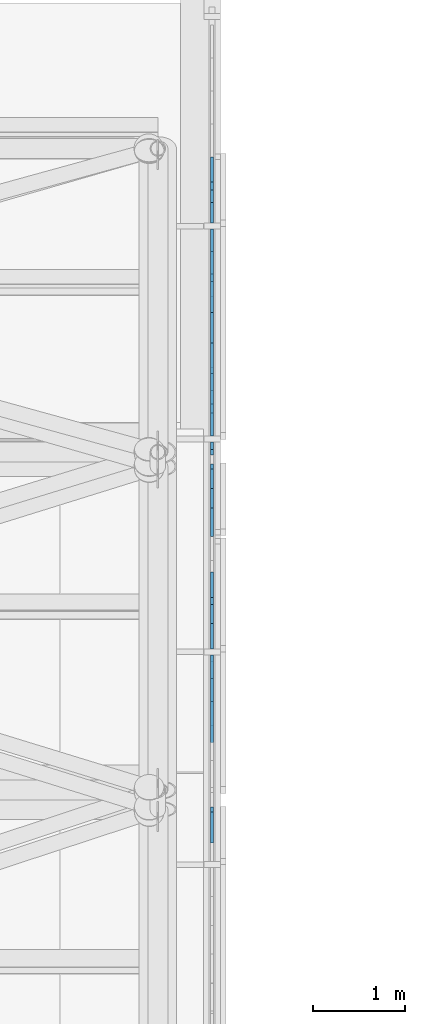
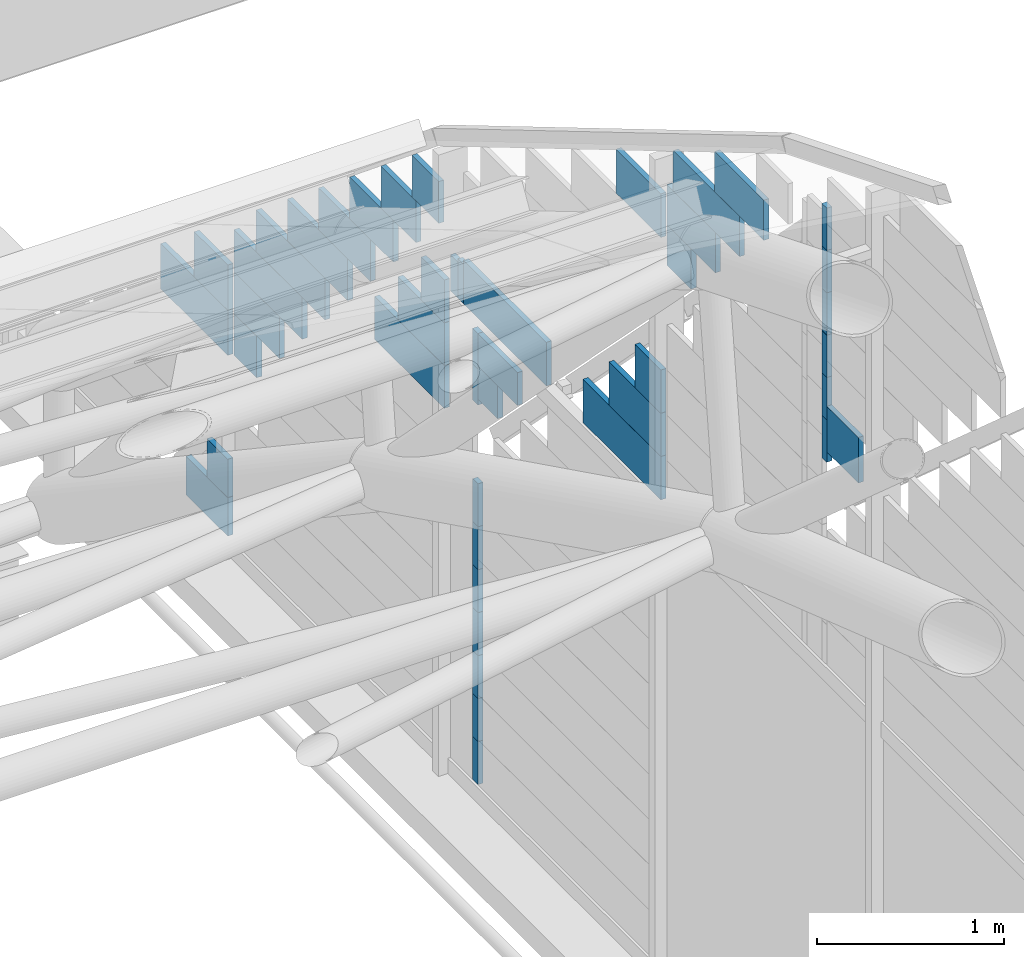
# One storey, part 80 of 110: 45 plates, 1 element without a shape of its own.
"""IFC4 building model written with IfcOpenShell, lengths in metres."""

from ifc_helpers import new_model, si_unit, direction, frame, origin, place, context, subcontext, project, spatial, polyline, outline, extrude, material, layer, layer_set, type_object, element, aggregate, save


model = new_model("IFC4")

# Units and contexts
model_context = context("Model", 3, precision=1e-05, world=origin(), true_north=direction((0.0, 1.0)))
body_context = subcontext(model_context, "Body", "Model", "MODEL_VIEW")
ifc_project = project(units=[si_unit("LENGTHUNIT", "METRE"), si_unit("AREAUNIT", "SQUARE_METRE"), si_unit("VOLUMEUNIT", "CUBIC_METRE"), si_unit("PLANEANGLEUNIT", "RADIAN"), si_unit("MASSUNIT", "GRAM", prefix="KILO")], contexts=[model_context])

# Site, building, storey
site_placement = place(None, origin())
site = spatial("IfcSite", under=ifc_project, at=site_placement, CompositionType="ELEMENT")
building_placement = place(site_placement, origin())
building = spatial("IfcBuilding", under=site, at=building_placement, Name="Windward Yard Aquatics Centre", CompositionType="ELEMENT")
storey_placement = place(building_placement, frame((0.0, 0.0, 22.60009765625)))
storey = spatial("IfcBuildingStorey", under=building, at=storey_placement, Name="L05", CompositionType="ELEMENT", Elevation=22.60009765625)

# Curtain wall, plates
ifc_material_1 = material(Name="Glass and aluminium curtain wall", Category="aluminium")
ifc_layer_1 = layer(ifc_material_1, 0.179931640625)
ifc_layer_set_1 = layer_set([ifc_layer_1], Name="H gable glazing system double glazed 8+16+8")
curtain_wall_type = type_object("IfcCurtainWallType", Name="H gable glazing system double glazed 8+16+8", PredefinedType="NOTDEFINED", material=ifc_layer_set_1)
curtain_wall_placement = place(storey_placement, origin())
curtain_wall = element("IfcCurtainWall", 1, at=curtain_wall_placement, inside=storey, type_object=curtain_wall_type, Name="Gable glazing E", PredefinedType="NOTDEFINED")
ifc_material_2 = material(Name="Low-iron glass", Category="glass")
ifc_layer_2 = layer(ifc_material_2, 0.008, Name="Outer pane")
ifc_material_3 = material(Name="Argon-filled cavity")
ifc_layer_3 = layer(ifc_material_3, 0.016, Name="Cavity")
ifc_layer_4 = layer(ifc_material_2, 0.008, Name="Inner pane")
ifc_layer_set_2 = layer_set([ifc_layer_2, ifc_layer_3, ifc_layer_4], Name="H gable glass low-e double glazed unit 32")
plate_type = type_object("IfcPlateType", Name="H gable glass low-e double glazed unit 32", PredefinedType="CURTAIN_PANEL", material=ifc_layer_set_2)
plate_1_placement = place(storey_placement, frame((144.60595703125, 74.62353515625, 4.724609375), z_axis=(1.0, 0.0, 0.0), x_axis=(0.0, 1.0, 0.0)))
plate_1 = element("IfcPlate", 2, at=plate_1_placement, type_object=plate_type, Name="Gable panel 15.2s", PredefinedType="CURTAIN_PANEL", context=body_context, shape_type="SweptSolid", body=[
    extrude(outline(polyline([(0.0, 0.0), (0.259277, 0.0), (0.259277, 0.262939), (0.0, 0.262939), (0.0, 0.0)])), origin(), (0.0, 0.0, -1.0), 0.031982421875),
])
plate_2_placement = place(storey_placement, frame((144.60595703125, 74.3642578125, 4.98779296875), z_axis=(1.0, 0.0, 0.0), x_axis=(0.0, 1.0, 0.0)))
plate_2 = element("IfcPlate", 3, at=plate_2_placement, type_object=plate_type, Name="Gable panel 15.2t", PredefinedType="CURTAIN_PANEL", context=body_context, shape_type="SweptSolid", body=[
    extrude(outline(polyline([(0.0, 0.0), (0.518555, 0.0), (0.518555, 0.262939), (0.0, 0.262939), (0.0, 0.0)])), origin(), (0.0, 0.0, -1.0), 0.031982421875),
])
plate_3_placement = place(storey_placement, frame((144.60595703125, 74.105224609375, 5.251220703125), z_axis=(1.0, 0.0, 0.0), x_axis=(0.0, 1.0, 0.0)))
plate_3 = element("IfcPlate", 4, at=plate_3_placement, type_object=plate_type, Name="Gable panel 15.2u", PredefinedType="CURTAIN_PANEL", context=body_context, shape_type="SweptSolid", body=[
    extrude(outline(polyline([(0.0, 0.0), (0.71167, 0.0), (0.71167, 0.262695), (0.0, 0.262695), (0.0, 0.0)])), origin(), (0.0, 0.0, -1.0), 0.031982421875),
])
plate_4_placement = place(storey_placement, frame((144.60595703125, 73.845947265625, 5.514404296875), z_axis=(1.0, 0.0, 0.0), x_axis=(0.0, 1.0, 0.0)))
plate_4 = element("IfcPlate", 5, at=plate_4_placement, type_object=plate_type, Name="Gable panel 15.2v", PredefinedType="CURTAIN_PANEL", context=body_context, shape_type="SweptSolid", body=[
    extrude(outline(polyline([(0.0, 0.0), (0.526855, 0.0), (0.526855, 0.262695), (0.0, 0.262695), (0.0, 0.0)])), origin(), (0.0, 0.0, -1.0), 0.031982421875),
])
plate_5_placement = place(storey_placement, frame((144.60595703125, 73.170654296875, 4.4736328125), z_axis=(1.0, 0.0, 0.0), x_axis=(0.0, 1.0, 0.0)))
plate_5 = element("IfcPlate", 6, at=plate_5_placement, type_object=plate_type, Name="Gable panel 15.2ak", PredefinedType="CURTAIN_PANEL", context=body_context, shape_type="SweptSolid", body=[
    extrude(outline(polyline([(0.0, 0.0), (0.052979, 0.0), (0.052979, 0.276367), (0.0, 0.276367), (0.0, 0.0)])), origin(), (0.0, 0.0, -1.0), 0.031982421875),
])
plate_6_placement = place(storey_placement, frame((144.60595703125, 73.170654296875, 4.75048828125), z_axis=(1.0, 0.0, 0.0), x_axis=(0.0, 1.0, 0.0)))
plate_6 = element("IfcPlate", 7, at=plate_6_placement, type_object=plate_type, Name="Gable panel 15.2al", PredefinedType="CURTAIN_PANEL", context=body_context, shape_type="SweptSolid", body=[
    extrude(outline(polyline([(0.0, 0.0), (0.052979, 0.0), (0.052979, 0.276367), (0.0, 0.276367), (0.0, 0.0)])), origin(), (0.0, 0.0, -1.0), 0.031982421875),
])
plate_7_placement = place(storey_placement, frame((144.60595703125, 73.170654296875, 5.02734375), z_axis=(1.0, 0.0, 0.0), x_axis=(0.0, 1.0, 0.0)))
plate_7 = element("IfcPlate", 8, at=plate_7_placement, type_object=plate_type, Name="Gable panel 15.2am", PredefinedType="CURTAIN_PANEL", context=body_context, shape_type="SweptSolid", body=[
    extrude(outline(polyline([(0.0, 0.0), (0.052979, 0.0), (0.052979, 0.276367), (0.0, 0.276367), (0.0, 0.0)])), origin(), (0.0, 0.0, -1.0), 0.031982421875),
])
plate_8_placement = place(storey_placement, frame((144.60595703125, 73.170654296875, 5.30419921875), z_axis=(1.0, 0.0, 0.0), x_axis=(0.0, 1.0, 0.0)))
plate_8 = element("IfcPlate", 9, at=plate_8_placement, type_object=plate_type, Name="Gable panel 15.2an", PredefinedType="CURTAIN_PANEL", context=body_context, shape_type="SweptSolid", body=[
    extrude(outline(polyline([(0.0, 0.0), (0.052979, 0.0), (0.052979, 0.276367), (0.0, 0.276367), (0.0, 0.0)])), origin(), (0.0, 0.0, -1.0), 0.031982421875),
])
plate_9_placement = place(storey_placement, frame((144.60595703125, 73.170654296875, 5.5810546875), z_axis=(1.0, 0.0, 0.0), x_axis=(0.0, 1.0, 0.0)))
plate_9 = element("IfcPlate", 10, at=plate_9_placement, type_object=plate_type, Name="Gable panel 15.2ao", PredefinedType="CURTAIN_PANEL", context=body_context, shape_type="SweptSolid", body=[
    extrude(outline(polyline([(0.0, 0.0), (0.052979, 0.0), (0.052979, 0.276367), (0.0, 0.276367), (0.0, 0.0)])), origin(), (0.0, 0.0, -1.0), 0.031982421875),
])
plate_10_placement = place(storey_placement, frame((144.60595703125, 73.170654296875, 5.85791015625), z_axis=(1.0, 0.0, 0.0), x_axis=(0.0, 1.0, 0.0)))
plate_10 = element("IfcPlate", 11, at=plate_10_placement, type_object=plate_type, Name="Gable panel 15.2ap", PredefinedType="CURTAIN_PANEL", context=body_context, shape_type="SweptSolid", body=[
    extrude(outline(polyline([(0.0, 0.0), (0.052979, 0.0), (0.052979, 0.276367), (0.0, 0.276367), (0.0, 0.0)])), origin(), (0.0, 0.0, -1.0), 0.031982421875),
])
plate_11_placement = place(storey_placement, frame((144.60595703125, 72.833740234375, 4.5419921875), z_axis=(1.0, 0.0, 0.0), x_axis=(0.0, 1.0, 0.0)))
plate_11 = element("IfcPlate", 12, at=plate_11_placement, type_object=plate_type, Name="Gable panel 15.2au", PredefinedType="CURTAIN_PANEL", context=body_context, shape_type="SweptSolid", body=[
    extrude(outline(polyline([(0.0, 0.0), (0.336914, 0.0), (0.336914, 0.297607), (0.0, 0.297607), (0.0, 0.0)])), origin(), (0.0, 0.0, -1.0), 0.031982421875),
])
plate_12_placement = place(storey_placement, frame((144.60595703125, 76.906982421875, 0.099853515625), z_axis=(1.0, 0.0, 0.0), x_axis=(0.0, 1.0, 0.0)))
plate_12 = element("IfcPlate", 13, at=plate_12_placement, type_object=plate_type, Name="Gable panel 16.1b", PredefinedType="CURTAIN_PANEL", context=body_context, shape_type="SweptSolid", body=[
    extrude(outline(polyline([(0.0, 0.0), (0.056885, 0.0), (0.056885, 0.280762), (0.0, 0.280762), (0.0, 0.0)])), origin(), (0.0, 0.0, -1.0), 0.031982421875),
])
plate_13_placement = place(storey_placement, frame((144.60595703125, 76.906982421875, 0.381103515625), z_axis=(1.0, 0.0, 0.0), x_axis=(0.0, 1.0, 0.0)))
plate_13 = element("IfcPlate", 14, at=plate_13_placement, type_object=plate_type, Name="Gable panel 16.1c", PredefinedType="CURTAIN_PANEL", context=body_context, shape_type="SweptSolid", body=[
    extrude(outline(polyline([(0.0, 0.0), (0.056885, 0.0), (0.056885, 0.280518), (0.0, 0.280518), (0.0, 0.0)])), origin(), (0.0, 0.0, -1.0), 0.031982421875),
])
plate_14_placement = place(storey_placement, frame((144.60595703125, 76.906982421875, 0.662109375), z_axis=(1.0, 0.0, 0.0), x_axis=(0.0, 1.0, 0.0)))
plate_14 = element("IfcPlate", 15, at=plate_14_placement, type_object=plate_type, Name="Gable panel 16.1d", PredefinedType="CURTAIN_PANEL", context=body_context, shape_type="SweptSolid", body=[
    extrude(outline(polyline([(0.0, 0.0), (0.056885, 0.0), (0.056885, 0.280518), (0.0, 0.280518), (0.0, 0.0)])), origin(), (0.0, 0.0, -1.0), 0.031982421875),
])
plate_15_placement = place(storey_placement, frame((144.60595703125, 76.906982421875, 0.943115234375), z_axis=(1.0, 0.0, 0.0), x_axis=(0.0, 1.0, 0.0)))
plate_15 = element("IfcPlate", 16, at=plate_15_placement, type_object=plate_type, Name="Gable panel 16.1e", PredefinedType="CURTAIN_PANEL", context=body_context, shape_type="SweptSolid", body=[
    extrude(outline(polyline([(0.0, 0.0), (0.056885, 0.0), (0.056885, 0.280518), (0.0, 0.280518), (0.0, 0.0)])), origin(), (0.0, 0.0, -1.0), 0.031982421875),
])
plate_16_placement = place(storey_placement, frame((144.60595703125, 76.906982421875, 1.22412109375), z_axis=(1.0, 0.0, 0.0), x_axis=(0.0, 1.0, 0.0)))
plate_16 = element("IfcPlate", 17, at=plate_16_placement, type_object=plate_type, Name="Gable panel 16.1f", PredefinedType="CURTAIN_PANEL", context=body_context, shape_type="SweptSolid", body=[
    extrude(outline(polyline([(0.0, 0.0), (0.056885, 0.0), (0.056885, 0.280518), (0.0, 0.280518), (0.0, 0.0)])), origin(), (0.0, 0.0, -1.0), 0.031982421875),
])
plate_17_placement = place(storey_placement, frame((144.60595703125, 76.906982421875, 1.5048828125), z_axis=(1.0, 0.0, 0.0), x_axis=(0.0, 1.0, 0.0)))
plate_17 = element("IfcPlate", 18, at=plate_17_placement, type_object=plate_type, Name="Gable panel 16.1g", PredefinedType="CURTAIN_PANEL", context=body_context, shape_type="SweptSolid", body=[
    extrude(outline(polyline([(0.0, 0.0), (0.056885, 0.0), (0.056885, 0.280762), (0.0, 0.280762), (0.0, 0.0)])), origin(), (0.0, 0.0, -1.0), 0.031982421875),
])
plate_18_placement = place(storey_placement, frame((144.60595703125, 76.906982421875, 1.785888671875), z_axis=(1.0, 0.0, 0.0), x_axis=(0.0, 1.0, 0.0)))
plate_18 = element("IfcPlate", 19, at=plate_18_placement, type_object=plate_type, Name="Gable panel 16.1h", PredefinedType="CURTAIN_PANEL", context=body_context, shape_type="SweptSolid", body=[
    extrude(outline(polyline([(0.0, 0.0), (0.056885, 0.0), (0.056885, 0.280762), (0.0, 0.280762), (0.0, 0.0)])), origin(), (0.0, 0.0, -1.0), 0.031982421875),
])
plate_19_placement = place(storey_placement, frame((144.60595703125, 76.906982421875, 2.58203125), z_axis=(1.0, 0.0, 0.0), x_axis=(0.0, 1.0, 0.0)))
plate_19 = element("IfcPlate", 20, at=plate_19_placement, type_object=plate_type, Name="Gable panel 16.1i", PredefinedType="CURTAIN_PANEL", context=body_context, shape_type="SweptSolid", body=[
    extrude(outline(polyline([(0.0, 0.0), (0.056885, 0.0), (0.056885, 0.233643), (0.0, 0.233643), (0.0, 0.0)])), origin(), (0.0, 0.0, -1.0), 0.031982421875),
])
plate_20_placement = place(storey_placement, frame((144.60595703125, 76.906982421875, 2.81591796875), z_axis=(1.0, 0.0, 0.0), x_axis=(0.0, 1.0, 0.0)))
plate_20 = element("IfcPlate", 21, at=plate_20_placement, type_object=plate_type, Name="Gable panel 16.1j", PredefinedType="CURTAIN_PANEL", context=body_context, shape_type="SweptSolid", body=[
    extrude(outline(polyline([(0.0, 0.0), (0.056885, 0.0), (0.056885, 0.233887), (0.0, 0.233887), (0.0, 0.0)])), origin(), (0.0, 0.0, -1.0), 0.031982421875),
])
plate_21_placement = place(storey_placement, frame((144.60595703125, 76.6953125, 2.62060546875), z_axis=(1.0, 0.0, 0.0), x_axis=(0.0, 1.0, 0.0)))
plate_21 = element("IfcPlate", 22, at=plate_21_placement, type_object=plate_type, Name="Gable panel 16.1u", PredefinedType="CURTAIN_PANEL", context=body_context, shape_type="SweptSolid", body=[
    extrude(outline(polyline([(0.0, 0.0), (0.21167, 0.0), (0.21167, 0.214355), (0.0, 0.214355), (0.0, 0.0)])), origin(), (0.0, 0.0, -1.0), 0.031982421875),
])
plate_22_placement = place(storey_placement, frame((144.60595703125, 76.483642578125, 2.83544921875), z_axis=(1.0, 0.0, 0.0), x_axis=(0.0, 1.0, 0.0)))
plate_22 = element("IfcPlate", 23, at=plate_22_placement, type_object=plate_type, Name="Gable panel 16.1v", PredefinedType="CURTAIN_PANEL", context=body_context, shape_type="SweptSolid", body=[
    extrude(outline(polyline([(0.0, 0.0), (0.42334, 0.0), (0.42334, 0.214355), (0.0, 0.214355), (0.0, 0.0)])), origin(), (0.0, 0.0, -1.0), 0.031982421875),
])
plate_23_placement = place(storey_placement, frame((144.60595703125, 74.947998046875, 3.14990234375), z_axis=(1.0, 0.0, 0.0), x_axis=(0.0, 1.0, 0.0)))
plate_23 = element("IfcPlate", 24, at=plate_23_placement, type_object=plate_type, Name="Gable panel 16.2a", PredefinedType="CURTAIN_PANEL", context=body_context, shape_type="SweptSolid", body=[
    extrude(outline(polyline([(0.0, 0.0), (0.835449, 0.0), (0.835449, 0.282715), (0.0, 0.282715), (0.0, 0.0)])), origin(), (0.0, 0.0, -1.0), 0.031982421875),
])
plate_24_placement = place(storey_placement, frame((144.60595703125, 74.947998046875, 3.432861328125), z_axis=(1.0, 0.0, 0.0), x_axis=(0.0, 1.0, 0.0)))
plate_24 = element("IfcPlate", 25, at=plate_24_placement, type_object=plate_type, Name="Gable panel 16.2b", PredefinedType="CURTAIN_PANEL", context=body_context, shape_type="SweptSolid", body=[
    extrude(outline(polyline([(0.0, 0.0), (0.557129, 0.0), (0.557129, 0.282471), (0.0, 0.282471), (0.0, 0.0)])), origin(), (0.0, 0.0, -1.0), 0.031982421875),
])
plate_25_placement = place(storey_placement, frame((144.60595703125, 74.947998046875, 3.7158203125), z_axis=(1.0, 0.0, 0.0), x_axis=(0.0, 1.0, 0.0)))
plate_25 = element("IfcPlate", 26, at=plate_25_placement, type_object=plate_type, Name="Gable panel 16.2c", PredefinedType="CURTAIN_PANEL", context=body_context, shape_type="SweptSolid", body=[
    extrude(outline(polyline([(0.0, 0.0), (0.278564, 0.0), (0.278564, 0.282227), (0.0, 0.282227), (0.0, 0.0)])), origin(), (0.0, 0.0, -1.0), 0.031982421875),
])
plate_26_placement = place(storey_placement, frame((144.60595703125, 77.122314453125, 3.14990234375), z_axis=(1.0, 0.0, 0.0), x_axis=(0.0, 1.0, 0.0)))
plate_26 = element("IfcPlate", 27, at=plate_26_placement, type_object=plate_type, Name="Gable panel 16.2d", PredefinedType="CURTAIN_PANEL", context=body_context, shape_type="SweptSolid", body=[
    extrude(outline(polyline([(0.0, 0.0), (0.079834, 0.0), (0.079834, 0.236816), (0.0, 0.236816), (0.0, 0.0)])), origin(), (0.0, 0.0, -1.0), 0.031982421875),
])
plate_27_placement = place(storey_placement, frame((144.60595703125, 77.0625, 3.14990234375), z_axis=(1.0, 0.0, 0.0), x_axis=(0.0, 1.0, 0.0)))
plate_27 = element("IfcPlate", 28, at=plate_27_placement, type_object=plate_type, Name="Gable panel 16.2e", PredefinedType="CURTAIN_PANEL", context=body_context, shape_type="SweptSolid", body=[
    extrude(outline(polyline([(0.0, 0.0), (0.059814, 0.0), (0.059814, 0.258057), (0.0, 0.258057), (0.0, 0.0)])), origin(), (0.0, 0.0, -1.0), 0.031982421875),
])
plate_28_placement = place(storey_placement, frame((144.60595703125, 76.174072265625, 3.14990234375), z_axis=(1.0, 0.0, 0.0), x_axis=(0.0, 1.0, 0.0)))
plate_28 = element("IfcPlate", 29, at=plate_28_placement, type_object=plate_type, Name="Gable panel 16.2f", PredefinedType="CURTAIN_PANEL", context=body_context, shape_type="SweptSolid", body=[
    extrude(outline(polyline([(0.0, 0.0), (0.888428, 0.0), (0.888428, 0.285645), (0.0, 0.285645), (0.0, 0.0)])), origin(), (0.0, 0.0, -1.0), 0.031982421875),
])
plate_29_placement = place(storey_placement, frame((144.60595703125, 74.947998046875, 4.864990234375), z_axis=(1.0, 0.0, 0.0), x_axis=(0.0, 1.0, 0.0)))
plate_29 = element("IfcPlate", 30, at=plate_29_placement, type_object=plate_type, Name="Gable panel 16.2l", PredefinedType="CURTAIN_PANEL", context=body_context, shape_type="SweptSolid", body=[
    extrude(outline(polyline([(0.0, 0.0), (0.482422, 0.0), (0.482422, 0.2854), (0.0, 0.2854), (0.0, 0.0)])), origin(), (0.0, 0.0, -1.0), 0.031982421875),
])
plate_30_placement = place(storey_placement, frame((144.60595703125, 77.26708984375, 2.341064453125), z_axis=(1.0, 0.0, 0.0), x_axis=(0.0, 1.0, 0.0)))
plate_30 = element("IfcPlate", 31, at=plate_30_placement, type_object=plate_type, Name="Gable panel 17.1i", PredefinedType="CURTAIN_PANEL", context=body_context, shape_type="SweptSolid", body=[
    extrude(outline(polyline([(0.0, 0.0), (0.747803, 0.0), (0.747803, 0.279541), (0.0, 0.279541), (0.0, 0.0)])), origin(), (0.0, 0.0, -1.0), 0.031982421875),
])
plate_31_placement = place(storey_placement, frame((144.60595703125, 77.26708984375, 2.62109375), z_axis=(1.0, 0.0, 0.0), x_axis=(0.0, 1.0, 0.0)))
plate_31 = element("IfcPlate", 32, at=plate_31_placement, type_object=plate_type, Name="Gable panel 17.1j", PredefinedType="CURTAIN_PANEL", context=body_context, shape_type="SweptSolid", body=[
    extrude(outline(polyline([(0.0, 0.0), (0.498535, 0.0), (0.498535, 0.279785), (0.0, 0.279785), (0.0, 0.0)])), origin(), (0.0, 0.0, -1.0), 0.031982421875),
])
plate_32_placement = place(storey_placement, frame((144.60595703125, 77.26708984375, 2.901123046875), z_axis=(1.0, 0.0, 0.0), x_axis=(0.0, 1.0, 0.0)))
plate_32 = element("IfcPlate", 33, at=plate_32_placement, type_object=plate_type, Name="Gable panel 17.1k", PredefinedType="CURTAIN_PANEL", context=body_context, shape_type="SweptSolid", body=[
    extrude(outline(polyline([(0.0, 0.0), (0.249512, 0.0), (0.249512, 0.279785), (0.0, 0.279785), (0.0, 0.0)])), origin(), (0.0, 0.0, -1.0), 0.031982421875),
])
plate_33_placement = place(storey_placement, frame((144.60595703125, 79.27734375, 1.322021484375), z_axis=(1.0, 0.0, 0.0), x_axis=(0.0, 1.0, 0.0)))
plate_33 = element("IfcPlate", 34, at=plate_33_placement, type_object=plate_type, Name="Gable panel 17.1l", PredefinedType="CURTAIN_PANEL", context=body_context, shape_type="SweptSolid", body=[
    extrude(outline(polyline([(0.0, 0.0), (0.244141, 0.0), (0.244141, 0.273438), (0.0, 0.273438), (0.0, 0.0)])), origin(), (0.0, 0.0, -1.0), 0.031982421875),
])
plate_34_placement = place(storey_placement, frame((144.60595703125, 79.03369140625, 1.595947265625), z_axis=(1.0, 0.0, 0.0), x_axis=(0.0, 1.0, 0.0)))
plate_34 = element("IfcPlate", 35, at=plate_34_placement, type_object=plate_type, Name="Gable panel 17.1m", PredefinedType="CURTAIN_PANEL", context=body_context, shape_type="SweptSolid", body=[
    extrude(outline(polyline([(0.0, 0.0), (0.487793, 0.0), (0.487793, 0.273682), (0.0, 0.273682), (0.0, 0.0)])), origin(), (0.0, 0.0, -1.0), 0.031982421875),
])
plate_35_placement = place(storey_placement, frame((144.60595703125, 78.789794921875, 1.869873046875), z_axis=(1.0, 0.0, 0.0), x_axis=(0.0, 1.0, 0.0)))
plate_35 = element("IfcPlate", 36, at=plate_35_placement, type_object=plate_type, Name="Gable panel 17.1n", PredefinedType="CURTAIN_PANEL", context=body_context, shape_type="SweptSolid", body=[
    extrude(outline(polyline([(0.0, 0.0), (0.731689, 0.0), (0.731689, 0.273682), (0.0, 0.273682), (0.0, 0.0)])), origin(), (0.0, 0.0, -1.0), 0.031982421875),
])
plate_36_placement = place(storey_placement, frame((144.60595703125, 78.546142578125, 2.14404296875), z_axis=(1.0, 0.0, 0.0), x_axis=(0.0, 1.0, 0.0)))
plate_36 = element("IfcPlate", 37, at=plate_36_placement, type_object=plate_type, Name="Gable panel 17.1o", PredefinedType="CURTAIN_PANEL", context=body_context, shape_type="SweptSolid", body=[
    extrude(outline(polyline([(0.0, 0.0), (0.736084, 0.0), (0.736084, 0.273438), (0.0, 0.273438), (0.0, 0.0)])), origin(), (0.0, 0.0, -1.0), 0.031982421875),
])
plate_37_placement = place(storey_placement, frame((144.60595703125, 78.302490234375, 2.41796875), z_axis=(1.0, 0.0, 0.0), x_axis=(0.0, 1.0, 0.0)))
plate_37 = element("IfcPlate", 38, at=plate_37_placement, type_object=plate_type, Name="Gable panel 17.1p", PredefinedType="CURTAIN_PANEL", context=body_context, shape_type="SweptSolid", body=[
    extrude(outline(polyline([(0.0, 0.0), (0.64624, 0.0), (0.64624, 0.273682), (0.0, 0.273682), (0.0, 0.0)])), origin(), (0.0, 0.0, -1.0), 0.031982421875),
])
plate_38_placement = place(storey_placement, frame((144.60595703125, 78.05859375, 2.69189453125), z_axis=(1.0, 0.0, 0.0), x_axis=(0.0, 1.0, 0.0)))
plate_38 = element("IfcPlate", 39, at=plate_38_placement, type_object=plate_type, Name="Gable panel 17.1q", PredefinedType="CURTAIN_PANEL", context=body_context, shape_type="SweptSolid", body=[
    extrude(outline(polyline([(0.0, 0.0), (0.556396, 0.0), (0.556396, 0.273682), (0.0, 0.273682), (0.0, 0.0)])), origin(), (0.0, 0.0, -1.0), 0.031982421875),
])
plate_39_placement = place(storey_placement, frame((144.60595703125, 77.81494140625, 2.966064453125), z_axis=(1.0, 0.0, 0.0), x_axis=(0.0, 1.0, 0.0)))
plate_39 = element("IfcPlate", 40, at=plate_39_placement, type_object=plate_type, Name="Gable panel 17.1r", PredefinedType="CURTAIN_PANEL", context=body_context, shape_type="SweptSolid", body=[
    extrude(outline(polyline([(0.0, 0.0), (0.466553, 0.0), (0.466553, 0.273438), (0.0, 0.273438), (0.0, 0.0)])), origin(), (0.0, 0.0, -1.0), 0.031982421875),
])
plate_40_placement = place(storey_placement, frame((144.60595703125, 77.571044921875, 3.239990234375), z_axis=(1.0, 0.0, 0.0), x_axis=(0.0, 1.0, 0.0)))
plate_40 = element("IfcPlate", 41, at=plate_40_placement, type_object=plate_type, Name="Gable panel 17.1s", PredefinedType="CURTAIN_PANEL", context=body_context, shape_type="SweptSolid", body=[
    extrude(outline(polyline([(0.0, 0.0), (0.376709, 0.0), (0.376709, 0.273682), (0.0, 0.273682), (0.0, 0.0)])), origin(), (0.0, 0.0, -1.0), 0.031982421875),
])
plate_41_placement = place(storey_placement, frame((144.60595703125, 77.327392578125, 3.513916015625), z_axis=(1.0, 0.0, 0.0), x_axis=(0.0, 1.0, 0.0)))
plate_41 = element("IfcPlate", 42, at=plate_41_placement, type_object=plate_type, Name="Gable panel 17.1t", PredefinedType="CURTAIN_PANEL", context=body_context, shape_type="SweptSolid", body=[
    extrude(outline(polyline([(0.0, 0.0), (0.286621, 0.0), (0.286621, 0.273682), (0.0, 0.273682), (0.0, 0.0)])), origin(), (0.0, 0.0, -1.0), 0.031982421875),
])
plate_42_placement = place(storey_placement, frame((144.60595703125, 79.58642578125, 0.099853515625), z_axis=(1.0, 0.0, 0.0), x_axis=(0.0, 1.0, 0.0)))
plate_42 = element("IfcPlate", 43, at=plate_42_placement, type_object=plate_type, Name="Gable panel 18.1a", PredefinedType="CURTAIN_PANEL", context=body_context, shape_type="SweptSolid", body=[
    extrude(outline(polyline([(0.0, 0.0), (0.44751, 0.0), (0.44751, 0.251221), (0.0, 0.251221), (0.0, 0.0)])), origin(), (0.0, 0.0, -1.0), 0.031982421875),
])
plate_43_placement = place(storey_placement, frame((144.60595703125, 79.58642578125, 0.3515625), z_axis=(1.0, 0.0, 0.0), x_axis=(0.0, 1.0, 0.0)))
plate_43 = element("IfcPlate", 44, at=plate_43_placement, type_object=plate_type, Name="Gable panel 18.1b", PredefinedType="CURTAIN_PANEL", context=body_context, shape_type="SweptSolid", body=[
    extrude(outline(polyline([(0.0, 0.0), (0.223877, 0.0), (0.223877, 0.250977), (0.0, 0.250977), (0.0, 0.0)])), origin(), (0.0, 0.0, -1.0), 0.031982421875),
])
plate_44_placement = place(storey_placement, frame((144.60595703125, 79.58642578125, 1.28173828125), z_axis=(1.0, 0.0, 0.0), x_axis=(0.0, 1.0, 0.0)))
plate_44 = element("IfcPlate", 45, at=plate_44_placement, type_object=plate_type, Name="Gable panel 18.1g", PredefinedType="CURTAIN_PANEL", context=body_context, shape_type="SweptSolid", body=[
    extrude(outline(polyline([(0.0, 0.0), (0.719727, 0.0), (0.719727, 0.295166), (0.0, 0.295166), (0.0, 0.0)])), origin(), (0.0, 0.0, -1.0), 0.031982421875),
])
plate_45_placement = place(storey_placement, frame((144.60595703125, 79.58642578125, 1.5771484375), z_axis=(1.0, 0.0, 0.0), x_axis=(0.0, 1.0, 0.0)))
plate_45 = element("IfcPlate", 46, at=plate_45_placement, type_object=plate_type, Name="Gable panel 18.1h", PredefinedType="CURTAIN_PANEL", context=body_context, shape_type="SweptSolid", body=[
    extrude(outline(polyline([(0.0, 0.0), (0.359863, 0.0), (0.359863, 0.295166), (0.0, 0.295166), (0.0, 0.0)])), origin(), (0.0, 0.0, -1.0), 0.031982421875),
])
aggregate(curtain_wall, [plate_1, plate_2, plate_3, plate_4, plate_5, plate_6, plate_7, plate_8, plate_9, plate_10, plate_11, plate_12, plate_13, plate_14, plate_15, plate_16, plate_17, plate_18, plate_19, plate_20, plate_21, plate_22, plate_23, plate_24, plate_25, plate_26, plate_27, plate_28, plate_29, plate_30, plate_31, plate_32, plate_33, plate_34, plate_35, plate_36, plate_37, plate_38, plate_39, plate_40, plate_41, plate_42, plate_43, plate_44, plate_45])

save(model, "model.ifc")
